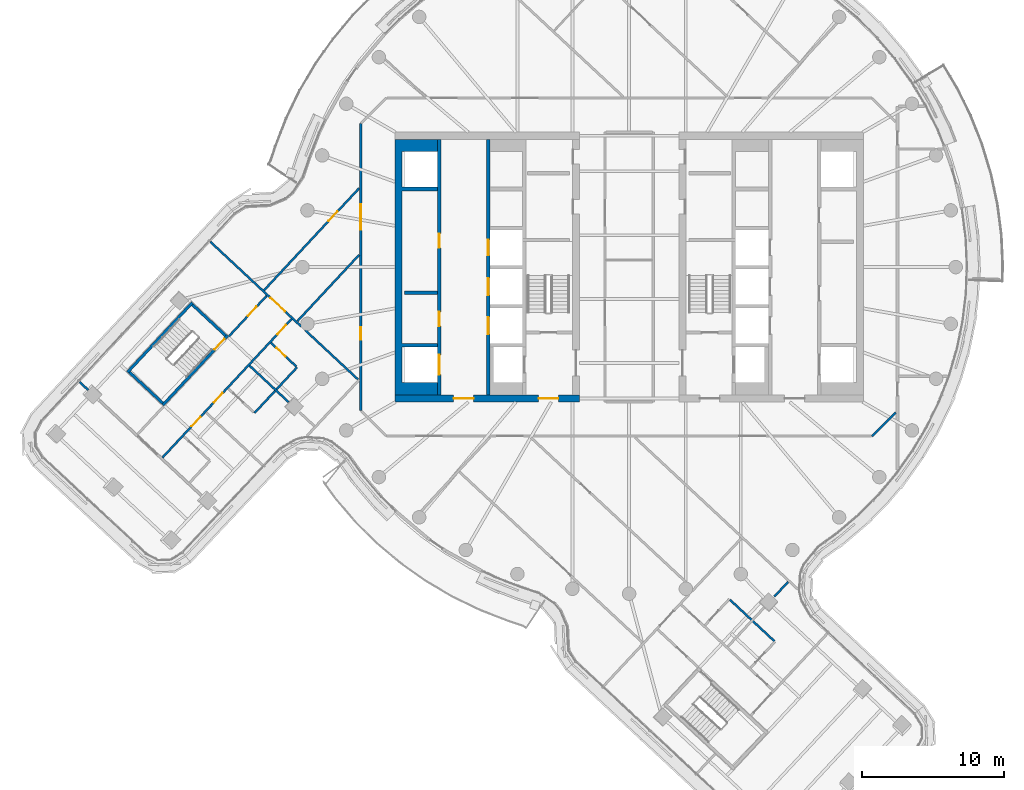
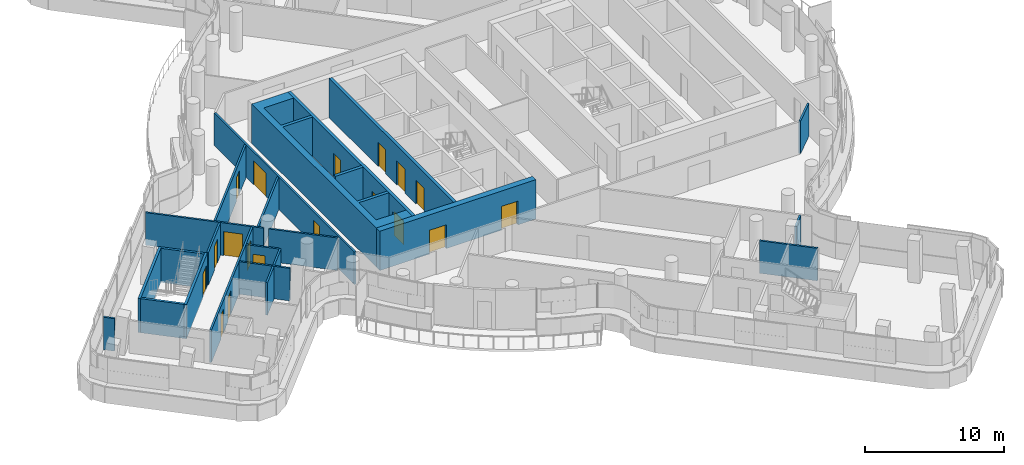
# One storey, part 18 of 30: 23 walls, 18 doors, 18 openings.
"""IFC4 building model written with IfcOpenShell, lengths in metres."""

from ifc_helpers import new_model, si_unit, direction, frame, frame_2d, origin, place, context, subcontext, project, spatial, polyline, rectangle, outline, extrude, material, layer, layer_set, type_object, element, fill, save


model = new_model("IFC4")

# Units and contexts
model_context = context("Model", 3, precision=1e-05, world=origin(), true_north=direction((0.0, 1.0)))
body_context = subcontext(model_context, "Body", "Model", "MODEL_VIEW")
ifc_project = project(units=[si_unit("LENGTHUNIT", "METRE"), si_unit("AREAUNIT", "SQUARE_METRE"), si_unit("VOLUMEUNIT", "CUBIC_METRE"), si_unit("PLANEANGLEUNIT", "RADIAN"), si_unit("MASSUNIT", "GRAM", prefix="KILO")], contexts=[model_context])

# Site, building, storey
site_placement = place(None, origin())
site = spatial("IfcSite", under=ifc_project, at=site_placement, CompositionType="ELEMENT")
building_placement = place(site_placement, origin())
building = spatial("IfcBuilding", under=site, at=building_placement, Name="Tamarind Cross Interchange Tower", CompositionType="ELEMENT")
storey_placement = place(building_placement, frame((0.0, 0.0, 204.10009765625)))
storey = spatial("IfcBuildingStorey", under=building, at=storey_placement, Name="L51", CompositionType="ELEMENT", Elevation=204.10009765625)

# Wall, openings, doors
ifc_material_1 = material(Name="Concrete C55", Category="concrete")
ifc_layer_1 = layer(ifc_material_1, 0.5)
ifc_layer_set_1 = layer_set([ifc_layer_1], Name="Concrete C55")
wall_type_1 = type_object("IfcWallType", Name="Core wall 500 mm Concrete C55", PredefinedType="SHEAR", material=ifc_layer_set_1)
wall_1_placement = place(storey_placement, frame((-16.5, -9.25, 0.0), z_axis=(0.0, 0.0, 1.0), x_axis=(1.0, 0.0, 0.0)))
wall_1 = element("IfcWall", 1, at=wall_1_placement, inside=storey, type_object=wall_type_1, Name="Core wall CWL-L51-W-S", PredefinedType="SHEAR", context=body_context, shape_type="SweptSolid", body=[
    extrude(rectangle(XDim=13.0, YDim=0.5, at=frame_2d((6.5, 0.0))), origin(), (0.0, 0.0, 1.0), 3.4599609375),
])
opening_1_placement = place(wall_1_placement, frame((4.14990234375, 0.0, 0.0)))
opening_1 = element("IfcOpeningElement", 2, at=opening_1_placement, cuts=wall_1, Name="Opening DCW1", PredefinedType="OPENING", context=body_context, shape_type="SweptSolid", body=[
    extrude(rectangle(XDim=1.39990234375, YDim=2.10009765625, at=frame_2d((0.699951171875, 1.050048828125))), frame((0.0, 0.260009765625, 0.0), z_axis=(0.0, -1.0, 0.0), x_axis=(1.0, 0.0, 0.0)), (0.0, 0.0, 1.0), 0.52001953125),
])
opening_2_placement = place(wall_1_placement, frame((10.125, 0.0, 0.0)))
opening_2 = element("IfcOpeningElement", 3, at=opening_2_placement, cuts=wall_1, Name="Opening DCWF", PredefinedType="OPENING", context=body_context, shape_type="SweptSolid", body=[
    extrude(rectangle(XDim=1.39990234375, YDim=2.10009765625, at=frame_2d((0.699951171875, 1.050048828125))), frame((0.0, 0.260009765625, 0.0), z_axis=(0.0, -1.0, 0.0), x_axis=(1.0, 0.0, 0.0)), (0.0, 0.0, 1.0), 0.52001953125),
])
ifc_material_2 = material(Name="Steel, fire-resisting", Category="steel")
door_type_1 = type_object("IfcDoorType", Name="Core fire door 1400 x 2100 FD90", OperationType="SINGLE_SWING_LEFT", PredefinedType="DOOR", material=ifc_material_2)
door_1_placement = place(opening_1_placement, origin())
door_1 = element("IfcDoor", 4, at=door_1_placement, inside=storey, type_object=door_type_1, Name="L51 lift lobby door", OperationType="SINGLE_SWING_LEFT", OverallHeight=2.10009765625, OverallWidth=1.39990234375, PredefinedType="DOOR", context=body_context, shape_type="SweptSolid", body=[
    extrude(rectangle(XDim=1.39990234375, YDim=2.10009765625, at=frame_2d((0.699951171875, 1.050048828125))), frame((0.0, 0.02490234375, 0.0), z_axis=(0.0, -1.0, 0.0), x_axis=(1.0, 0.0, 0.0)), (0.0, 0.0, 1.0), 0.050048828125),
])
fill(opening_1, door_1)
door_2_placement = place(opening_2_placement, origin())
door_2 = element("IfcDoor", 5, at=door_2_placement, inside=storey, type_object=door_type_1, Name="L51 firefighting lobby end door", OperationType="SINGLE_SWING_LEFT", OverallHeight=2.10009765625, OverallWidth=1.39990234375, PredefinedType="DOOR", context=body_context, shape_type="SweptSolid", body=[
    extrude(rectangle(XDim=1.39990234375, YDim=2.10009765625, at=frame_2d((0.699951171875, 1.050048828125))), frame((0.0, 0.02490234375, 0.0), z_axis=(0.0, -1.0, 0.0), x_axis=(1.0, 0.0, 0.0)), (0.0, 0.0, 1.0), 0.050048828125),
])
fill(opening_2, door_2)

# Wall
wall_2_placement = place(storey_placement, origin())
element("IfcWall", 6, at=wall_2_placement, inside=storey, type_object=wall_type_1, Name="Core wall CWL-L51-W-A", PredefinedType="SHEAR", context=body_context, shape_type="SweptSolid", body=[
    extrude(outline(polyline([(-13.5, -8.125), (-16.0, -8.125), (-16.0, -5.625), (-13.5, -5.625), (-13.5, -5.375), (-16.0, -5.375), (-16.0, 5.375), (-13.5, 5.375), (-13.5, 5.625), (-16.0, 5.625), (-16.0, 8.125), (-13.5, 8.125), (-13.5, 9.0), (-16.0, 9.0), (-16.5, 9.0), (-16.5, -9.0), (-16.0, -9.0), (-13.5, -9.0), (-13.5, -8.125)])), origin(), (0.0, 0.0, 1.0), 3.4599609375),
])

# Wall, openings, doors
ifc_layer_2 = layer(ifc_material_1, 0.25)
ifc_layer_set_2 = layer_set([ifc_layer_2], Name="Concrete C55")
wall_type_2 = type_object("IfcWallType", Name="Core web wall 250 mm Concrete C55", PredefinedType="SHEAR", material=ifc_layer_set_2)
wall_3_placement = place(storey_placement, frame((-13.375, -9.0, 0.0), z_axis=(0.0, 0.0, 1.0), x_axis=(0.0, 1.0, 0.0)))
wall_3 = element("IfcWall", 7, at=wall_3_placement, inside=storey, type_object=wall_type_2, Name="Core wall CWL-L51-W-LA", PredefinedType="SHEAR", context=body_context, shape_type="SweptSolid", body=[
    extrude(rectangle(XDim=18.0, YDim=0.25, at=frame_2d((9.0, 0.0))), origin(), (0.0, 0.0, 1.0), 3.4599609375),
])
opening_3_placement = place(wall_3_placement, frame((1.425048828125, 0.0, 0.0)))
opening_3 = element("IfcOpeningElement", 8, at=opening_3_placement, cuts=wall_3, Name="Opening LD1L51", PredefinedType="OPENING", context=body_context, shape_type="SweptSolid", body=[
    extrude(rectangle(XDim=1.39990234375, YDim=2.10009765625, at=frame_2d((0.699951171875, 1.050048828125))), frame((0.0, 0.135009765625, 0.0), z_axis=(0.0, -1.0, 0.0), x_axis=(1.0, 0.0, 0.0)), (0.0, 0.0, 1.0), 0.27001953125),
])
opening_4_placement = place(wall_3_placement, frame((4.85400390625, 0.0, 0.0)))
opening_4 = element("IfcOpeningElement", 9, at=opening_4_placement, cuts=wall_3, Name="Opening DCW9", PredefinedType="OPENING", context=body_context, shape_type="SweptSolid", body=[
    extrude(rectangle(XDim=1.0, YDim=2.10009765625, at=frame_2d((0.5, 1.050048828125))), frame((0.0, 0.135009765625, 0.0), z_axis=(0.0, -1.0, 0.0), x_axis=(1.0, 0.0, 0.0)), (0.0, 0.0, 1.0), 0.27001953125),
])
opening_5_placement = place(wall_3_placement, frame((10.35400390625, 0.0, 0.0)))
opening_5 = element("IfcOpeningElement", 10, at=opening_5_placement, cuts=wall_3, Name="Opening DCW10", PredefinedType="OPENING", context=body_context, shape_type="SweptSolid", body=[
    extrude(rectangle(XDim=1.0, YDim=2.10009765625, at=frame_2d((0.5, 1.050048828125))), frame((0.0, 0.135009765625, 0.0), z_axis=(0.0, -1.0, 0.0), x_axis=(1.0, 0.0, 0.0)), (0.0, 0.0, 1.0), 0.27001953125),
])
door_type_2 = type_object("IfcDoorType", Name="Core fire door 1000 x 2100 FD90", OperationType="SINGLE_SWING_LEFT", PredefinedType="DOOR", material=ifc_material_2)
door_3_placement = place(opening_4_placement, origin())
door_3 = element("IfcDoor", 11, at=door_3_placement, inside=storey, type_object=door_type_2, Name="L51 Staff changing room door", OperationType="SINGLE_SWING_LEFT", OverallHeight=2.10009765625, OverallWidth=1.0, PredefinedType="DOOR", context=body_context, shape_type="SweptSolid", body=[
    extrude(rectangle(XDim=1.0, YDim=2.10009765625, at=frame_2d((0.5, 1.050048828125))), frame((0.0, 0.02490234375, 0.0), z_axis=(0.0, -1.0, 0.0), x_axis=(1.0, 0.0, 0.0)), (0.0, 0.0, 1.0), 0.050048828125),
])
fill(opening_4, door_3)
door_4_placement = place(opening_5_placement, origin())
door_4 = element("IfcDoor", 12, at=door_4_placement, inside=storey, type_object=door_type_2, Name="L51 Ice and vending room door", OperationType="SINGLE_SWING_LEFT", OverallHeight=2.10009765625, OverallWidth=1.0, PredefinedType="DOOR", context=body_context, shape_type="SweptSolid", body=[
    extrude(rectangle(XDim=1.0, YDim=2.10009765625, at=frame_2d((0.5, 1.050048828125))), frame((0.0, 0.02490234375, 0.0), z_axis=(0.0, -1.0, 0.0), x_axis=(1.0, 0.0, 0.0)), (0.0, 0.0, 1.0), 0.050048828125),
])
fill(opening_5, door_4)
ifc_material_3 = material(Name="Stainless steel panel", Category="steel")
door_type_3 = type_object("IfcDoorType", Name="Lift landing door 1400 x 2100 E 120", OperationType="SLIDING_TO_LEFT", PredefinedType="DOOR", material=ifc_material_3)
door_5_placement = place(opening_3_placement, origin())
door_5 = element("IfcDoor", 13, at=door_5_placement, inside=storey, type_object=door_type_3, Name="L51 landing door LF1", OperationType="SLIDING_TO_LEFT", OverallHeight=2.10009765625, OverallWidth=1.39990234375, PredefinedType="DOOR", context=body_context, shape_type="SweptSolid", body=[
    extrude(rectangle(XDim=1.39990234375, YDim=2.10009765625, at=frame_2d((0.699951171875, 1.050048828125))), frame((0.0, 0.02490234375, 0.0), z_axis=(0.0, -1.0, 0.0), x_axis=(1.0, 0.0, 0.0)), (0.0, 0.0, 1.0), 0.050048828125),
])
fill(opening_3, door_5)

wall_4_placement = place(storey_placement, frame((-9.925048828125, -9.0, 0.0), z_axis=(0.0, 0.0, 1.0), x_axis=(0.0, 1.0, 0.0)))
wall_4 = element("IfcWall", 14, at=wall_4_placement, inside=storey, type_object=wall_type_2, Name="Core wall CWL-L51-W-LB", PredefinedType="SHEAR", context=body_context, shape_type="SweptSolid", body=[
    extrude(rectangle(XDim=18.0, YDim=0.25, at=frame_2d((9.0, 0.0))), origin(), (0.0, 0.0, 1.0), 3.4599609375),
])
opening_6_placement = place(wall_4_placement, frame((4.27490234375, 0.0, 0.0)))
opening_6 = element("IfcOpeningElement", 15, at=opening_6_placement, cuts=wall_4, Name="Opening LD8L51", PredefinedType="OPENING", context=body_context, shape_type="SweptSolid", body=[
    extrude(rectangle(XDim=1.199951171875, YDim=2.10009765625, at=frame_2d((0.60009765625, 1.050048828125))), frame((0.0, 0.135009765625, 0.0), z_axis=(0.0, -1.0, 0.0), x_axis=(1.0, 0.0, 0.0)), (0.0, 0.0, 1.0), 0.27001953125),
])
opening_7_placement = place(wall_4_placement, frame((7.02490234375, 0.0, 0.0)))
opening_7 = element("IfcOpeningElement", 16, at=opening_7_placement, cuts=wall_4, Name="Opening LD9L51", PredefinedType="OPENING", context=body_context, shape_type="SweptSolid", body=[
    extrude(rectangle(XDim=1.199951171875, YDim=2.10009765625, at=frame_2d((0.60009765625, 1.050048828125))), frame((0.0, 0.135009765625, 0.0), z_axis=(0.0, -1.0, 0.0), x_axis=(1.0, 0.0, 0.0)), (0.0, 0.0, 1.0), 0.27001953125),
])
opening_8_placement = place(wall_4_placement, frame((9.824951171875, 0.0, 0.0)))
opening_8 = element("IfcOpeningElement", 17, at=opening_8_placement, cuts=wall_4, Name="Opening LD10L51", PredefinedType="OPENING", context=body_context, shape_type="SweptSolid", body=[
    extrude(rectangle(XDim=1.10009765625, YDim=2.10009765625, at=frame_2d((0.550048828125, 1.050048828125))), frame((0.0, 0.135009765625, 0.0), z_axis=(0.0, -1.0, 0.0), x_axis=(1.0, 0.0, 0.0)), (0.0, 0.0, 1.0), 0.27001953125),
])
door_type_4 = type_object("IfcDoorType", Name="Lift landing door 1100 x 2100 E 120", OperationType="SLIDING_TO_LEFT", PredefinedType="DOOR", material=ifc_material_3)
door_6_placement = place(opening_8_placement, origin())
door_6 = element("IfcDoor", 18, at=door_6_placement, inside=storey, type_object=door_type_4, Name="L51 landing door LF10", OperationType="SLIDING_TO_LEFT", OverallHeight=2.10009765625, OverallWidth=1.10009765625, PredefinedType="DOOR", context=body_context, shape_type="SweptSolid", body=[
    extrude(rectangle(XDim=1.10009765625, YDim=2.10009765625, at=frame_2d((0.550048828125, 1.050048828125))), frame((0.0, 0.02490234375, 0.0), z_axis=(0.0, -1.0, 0.0), x_axis=(1.0, 0.0, 0.0)), (0.0, 0.0, 1.0), 0.050048828125),
])
fill(opening_8, door_6)
door_type_5 = type_object("IfcDoorType", Name="Lift landing door 1200 x 2100 E 120", OperationType="SLIDING_TO_LEFT", PredefinedType="DOOR", material=ifc_material_3)
door_7_placement = place(opening_6_placement, origin())
door_7 = element("IfcDoor", 19, at=door_7_placement, inside=storey, type_object=door_type_5, Name="L51 landing door LF8", OperationType="SLIDING_TO_LEFT", OverallHeight=2.10009765625, OverallWidth=1.199951171875, PredefinedType="DOOR", context=body_context, shape_type="SweptSolid", body=[
    extrude(rectangle(XDim=1.199951171875, YDim=2.10009765625, at=frame_2d((0.60009765625, 1.050048828125))), frame((0.0, 0.02490234375, 0.0), z_axis=(0.0, -1.0, 0.0), x_axis=(1.0, 0.0, 0.0)), (0.0, 0.0, 1.0), 0.050048828125),
])
fill(opening_6, door_7)
door_8_placement = place(opening_7_placement, origin())
door_8 = element("IfcDoor", 20, at=door_8_placement, inside=storey, type_object=door_type_5, Name="L51 landing door LF9", OperationType="SLIDING_TO_LEFT", OverallHeight=2.10009765625, OverallWidth=1.199951171875, PredefinedType="DOOR", context=body_context, shape_type="SweptSolid", body=[
    extrude(rectangle(XDim=1.199951171875, YDim=2.10009765625, at=frame_2d((0.60009765625, 1.050048828125))), frame((0.0, 0.02490234375, 0.0), z_axis=(0.0, -1.0, 0.0), x_axis=(1.0, 0.0, 0.0)), (0.0, 0.0, 1.0), 0.050048828125),
])
fill(opening_7, door_8)

# Wall
ifc_material_4 = material(Name="Gypsum board partition on steel studs", Category="steel")
ifc_layer_3 = layer(ifc_material_4, 0.14990234375)
ifc_layer_set_3 = layer_set([ifc_layer_3], Name="Gypsum board partition on steel studs")
wall_type_3 = type_object("IfcWallType", Name="Partition 150 mm EI 120", PredefinedType="PARTITIONING", material=ifc_layer_set_3)
wall_5_placement = place(storey_placement, frame((-38.695556640625, -8.08837890625, 0.0), z_axis=(0.0, 0.0, 1.0), x_axis=(0.731604614839, -0.681729189302, 0.0)))
element("IfcWall", 21, at=wall_5_placement, inside=storey, type_object=wall_type_3, Name="Partition L51-003", PredefinedType="PARTITIONING", context=body_context, shape_type="SweptSolid", body=[
    extrude(rectangle(XDim=0.8271484375, YDim=0.14990234375, at=frame_2d((0.41357421875, 0.0))), origin(), (0.0, 0.0, 1.0), 2.864013671875),
])

# Wall, opening, door
wall_6_placement = place(storey_placement, frame((-29.491455078125, 1.78759765625, 0.0), z_axis=(0.0, 0.0, 1.0), x_axis=(0.731478721907, -0.681864267576, 0.0)))
wall_6 = element("IfcWall", 22, at=wall_6_placement, inside=storey, type_object=wall_type_3, Name="Partition L51-008", PredefinedType="PARTITIONING", context=body_context, shape_type="SweptSolid", body=[
    extrude(rectangle(XDim=8.759033203125, YDim=0.14990234375, at=frame_2d((4.37939453125, 0.0))), origin(), (0.0, 0.0, 1.0), 2.864013671875),
])
opening_9_placement = place(wall_6_placement, frame((5.799072265625, 0.0, 0.0)))
opening_9 = element("IfcOpeningElement", 23, at=opening_9_placement, cuts=wall_6, Name="Opening D03", PredefinedType="OPENING", context=body_context, shape_type="SweptSolid", body=[
    extrude(rectangle(XDim=1.39990234375, YDim=2.10009765625, at=frame_2d((0.699951171875, 1.050048828125))), frame((0.0, 0.0849609375, 0.0), z_axis=(0.0, -1.0, 0.0), x_axis=(1.0, 0.0, 0.0)), (0.0, 0.0, 1.0), 0.169921875),
])
ifc_material_5 = material(Name="Fire-resisting door set")
door_type_6 = type_object("IfcDoorType", Name="Interior door 1400 x 2100 FD60S", OperationType="DOUBLE_DOOR_SINGLE_SWING", PredefinedType="DOOR", material=ifc_material_5)
door_9_placement = place(opening_9_placement, origin())
door_9 = element("IfcDoor", 24, at=door_9_placement, inside=storey, type_object=door_type_6, Name="Door D03", OperationType="DOUBLE_DOOR_SINGLE_SWING", OverallHeight=2.10009765625, OverallWidth=1.39990234375, PredefinedType="DOOR", context=body_context, shape_type="SweptSolid", body=[
    extrude(rectangle(XDim=1.39990234375, YDim=2.10009765625, at=frame_2d((0.699951171875, 1.050048828125))), frame((0.0, 0.02490234375, 0.0), z_axis=(0.0, -1.0, 0.0), x_axis=(1.0, 0.0, 0.0)), (0.0, 0.0, 1.0), 0.050048828125),
])
fill(opening_9, door_9)

# Walls
wall_7_placement = place(storey_placement, frame((-22.816650390625, -4.434326171875, 0.0), z_axis=(0.0, 0.0, 1.0), x_axis=(0.731471057621, -0.681872489445, 0.0)))
element("IfcWall", 25, at=wall_7_placement, inside=storey, type_object=wall_type_3, Name="Partition L51-009", PredefinedType="PARTITIONING", context=body_context, shape_type="SweptSolid", body=[
    extrude(rectangle(XDim=5.0947265625, YDim=0.14990234375, at=frame_2d((2.54736328125, 0.0))), origin(), (0.0, 0.0, 1.0), 2.864013671875),
])
wall_8_placement = place(storey_placement, frame((-26.722412109375, -6.944580078125, 0.0), z_axis=(0.0, 0.0, 1.0), x_axis=(0.731495392293, -0.681846383766, 0.0)))
element("IfcWall", 26, at=wall_8_placement, inside=storey, type_object=wall_type_3, Name="Partition L51-011", PredefinedType="PARTITIONING", context=body_context, shape_type="SweptSolid", body=[
    extrude(rectangle(XDim=3.76171875, YDim=0.14990234375, at=frame_2d((1.880859375, 0.0))), origin(), (0.0, 0.0, 1.0), 2.864013671875),
])

# Wall, opening, door
wall_9_placement = place(storey_placement, frame((-25.222412109375, -5.33544921875, 0.0), z_axis=(0.0, 0.0, 1.0), x_axis=(0.731634049988, -0.681697599305, 0.0)))
wall_9 = element("IfcWall", 27, at=wall_9_placement, inside=storey, type_object=wall_type_3, Name="Partition L51-013", PredefinedType="PARTITIONING", context=body_context, shape_type="SweptSolid", body=[
    extrude(rectangle(XDim=2.439697265625, YDim=0.14990234375, at=frame_2d((1.2197265625, 0.0))), origin(), (0.0, 0.0, 1.0), 2.864013671875),
])
opening_10_placement = place(wall_9_placement, frame((0.52001953125, 0.0, 0.0)))
opening_10 = element("IfcOpeningElement", 28, at=opening_10_placement, cuts=wall_9, Name="Opening D05", PredefinedType="OPENING", context=body_context, shape_type="SweptSolid", body=[
    extrude(rectangle(XDim=0.89990234375, YDim=2.10009765625, at=frame_2d((0.449951171875, 1.050048828125))), frame((0.0, 0.0849609375, 0.0), z_axis=(0.0, -1.0, 0.0), x_axis=(1.0, 0.0, 0.0)), (0.0, 0.0, 1.0), 0.169921875),
])
door_type_7 = type_object("IfcDoorType", Name="Interior door 900 x 2100 FD60S", OperationType="SINGLE_SWING_LEFT", PredefinedType="DOOR", material=ifc_material_5)
door_10_placement = place(opening_10_placement, frame((0.89990234375, 0.0, 0.0), z_axis=(0.0, 0.0, 1.0), x_axis=(-1.0, 0.0, 0.0)))
door_10 = element("IfcDoor", 29, at=door_10_placement, inside=storey, type_object=door_type_7, Name="Door D05", OperationType="SINGLE_SWING_LEFT", OverallHeight=2.10009765625, OverallWidth=0.89990234375, PredefinedType="DOOR", context=body_context, shape_type="SweptSolid", body=[
    extrude(rectangle(XDim=0.89990234375, YDim=2.10009765625, at=frame_2d((0.449951171875, 1.050048828125))), frame((0.0, 0.02490234375, 0.0), z_axis=(0.0, -1.0, 0.0), x_axis=(1.0, 0.0, 0.0)), (0.0, 0.0, 1.0), 0.050048828125),
])
fill(opening_10, door_10)

# Walls
wall_10_placement = place(storey_placement, frame((7.10791015625, -23.43017578125, 0.0), z_axis=(0.0, 0.0, 1.0), x_axis=(0.731647999117, -0.681682628052, 0.0)))
element("IfcWall", 30, at=wall_10_placement, inside=storey, type_object=wall_type_3, Name="Partition L51-030", PredefinedType="PARTITIONING", context=body_context, shape_type="SweptSolid", body=[
    extrude(rectangle(XDim=4.28515625, YDim=0.14990234375, at=frame_2d((2.142578125, 0.0))), origin(), (0.0, 0.0, 1.0), 2.864013671875),
])
wall_11_placement = place(storey_placement, frame((17.10009765625, -11.89990234375, 0.0), z_axis=(0.0, 0.0, 1.0), x_axis=(0.707106781187, 0.707106781187, 0.0)))
element("IfcWall", 31, at=wall_11_placement, inside=storey, type_object=wall_type_3, Name="Partition L51-043", PredefinedType="PARTITIONING", context=body_context, shape_type="SweptSolid", body=[
    extrude(rectangle(XDim=2.35546875, YDim=0.14990234375, at=frame_2d((1.177734375, 0.0))), origin(), (0.0, 0.0, 1.0), 2.864013671875),
])

# Wall, opening, door
wall_12_placement = place(storey_placement, frame((-28.1689453125, -4.859130859375, 0.0), z_axis=(0.0, 0.0, 1.0), x_axis=(0.681784531985, 0.731553041103, 0.0)))
wall_12 = element("IfcWall", 32, at=wall_12_placement, inside=storey, type_object=wall_type_3, Name="Partition L51-045", PredefinedType="PARTITIONING", context=body_context, shape_type="SweptSolid", body=[
    extrude(rectangle(XDim=3.88037109375, YDim=0.14990234375, at=frame_2d((1.940185546875, 0.0))), origin(), (0.0, 0.0, 1.0), 2.864013671875),
])
opening_11_placement = place(wall_12_placement, frame((1.949951171875, 0.0, 0.0)))
opening_11 = element("IfcOpeningElement", 33, at=opening_11_placement, cuts=wall_12, Name="Opening D24", PredefinedType="OPENING", context=body_context, shape_type="SweptSolid", body=[
    extrude(rectangle(XDim=0.89990234375, YDim=2.10009765625, at=frame_2d((0.449951171875, 1.050048828125))), frame((0.0, 0.0849609375, 0.0), z_axis=(0.0, -1.0, 0.0), x_axis=(1.0, 0.0, 0.0)), (0.0, 0.0, 1.0), 0.169921875),
])
door_11_placement = place(opening_11_placement, origin())
door_11 = element("IfcDoor", 34, at=door_11_placement, inside=storey, type_object=door_type_7, Name="Door D24", OperationType="SINGLE_SWING_LEFT", OverallHeight=2.10009765625, OverallWidth=0.89990234375, PredefinedType="DOOR", context=body_context, shape_type="SweptSolid", body=[
    extrude(rectangle(XDim=0.89990234375, YDim=2.10009765625, at=frame_2d((0.449951171875, 1.050048828125))), frame((0.0, 0.02490234375, 0.0), z_axis=(0.0, -1.0, 0.0), x_axis=(1.0, 0.0, 0.0)), (0.0, 0.0, 1.0), 0.050048828125),
])
fill(opening_11, door_11)

# Wall, openings, doors
wall_13_placement = place(storey_placement, frame((-32.862548828125, -13.41552734375, 0.0), z_axis=(0.0, 0.0, 1.0), x_axis=(0.681674391934, 0.731655672691, 0.0)))
wall_13 = element("IfcWall", 35, at=wall_13_placement, inside=storey, type_object=wall_type_3, Name="Partition L51-046", PredefinedType="PARTITIONING", context=body_context, shape_type="SweptSolid", body=[
    extrude(rectangle(XDim=13.33984375, YDim=0.14990234375, at=frame_2d((6.669921875, 0.0))), origin(), (0.0, 0.0, 1.0), 2.864013671875),
])
opening_12_placement = place(wall_13_placement, frame((11.86962890625, 0.0, 0.0)))
opening_12 = element("IfcOpeningElement", 36, at=opening_12_placement, cuts=wall_13, Name="Opening D25", PredefinedType="OPENING", context=body_context, shape_type="SweptSolid", body=[
    extrude(rectangle(XDim=0.89990234375, YDim=2.10009765625, at=frame_2d((0.449951171875, 1.050048828125))), frame((0.0, 0.0849609375, 0.0), z_axis=(0.0, -1.0, 0.0), x_axis=(1.0, 0.0, 0.0)), (0.0, 0.0, 1.0), 0.169921875),
])
opening_13_placement = place(wall_13_placement, frame((5.320068359375, 0.0, 0.0)))
opening_13 = element("IfcOpeningElement", 37, at=opening_13_placement, cuts=wall_13, Name="Opening D26", PredefinedType="OPENING", context=body_context, shape_type="SweptSolid", body=[
    extrude(rectangle(XDim=0.89990234375, YDim=2.10009765625, at=frame_2d((0.449951171875, 1.050048828125))), frame((0.0, 0.0849609375, 0.0), z_axis=(0.0, -1.0, 0.0), x_axis=(1.0, 0.0, 0.0)), (0.0, 0.0, 1.0), 0.169921875),
])
opening_14_placement = place(wall_13_placement, frame((3.0205078125, 0.0, 0.0)))
opening_14 = element("IfcOpeningElement", 38, at=opening_14_placement, cuts=wall_13, Name="Opening D27", PredefinedType="OPENING", context=body_context, shape_type="SweptSolid", body=[
    extrude(rectangle(XDim=0.89990234375, YDim=2.10009765625, at=frame_2d((0.449951171875, 1.050048828125))), frame((0.0, 0.0849609375, 0.0), z_axis=(0.0, -1.0, 0.0), x_axis=(1.0, 0.0, 0.0)), (0.0, 0.0, 1.0), 0.169921875),
])
door_12_placement = place(opening_12_placement, frame((0.89990234375, 0.0, 0.0), z_axis=(0.0, 0.0, 1.0), x_axis=(-1.0, 0.0, 0.0)))
door_12 = element("IfcDoor", 39, at=door_12_placement, inside=storey, type_object=door_type_7, Name="Door D25", OperationType="SINGLE_SWING_RIGHT", OverallHeight=2.10009765625, OverallWidth=0.89990234375, PredefinedType="DOOR", context=body_context, shape_type="SweptSolid", body=[
    extrude(rectangle(XDim=0.89990234375, YDim=2.10009765625, at=frame_2d((0.449951171875, 1.050048828125))), frame((0.0, 0.02490234375, 0.0), z_axis=(0.0, -1.0, 0.0), x_axis=(1.0, 0.0, 0.0)), (0.0, 0.0, 1.0), 0.050048828125),
])
fill(opening_12, door_12)
door_13_placement = place(opening_13_placement, frame((0.89990234375, 0.0, 0.0), z_axis=(0.0, 0.0, 1.0), x_axis=(-1.0, 0.0, 0.0)))
door_13 = element("IfcDoor", 40, at=door_13_placement, inside=storey, type_object=door_type_7, Name="Door D26", OperationType="SINGLE_SWING_LEFT", OverallHeight=2.10009765625, OverallWidth=0.89990234375, PredefinedType="DOOR", context=body_context, shape_type="SweptSolid", body=[
    extrude(rectangle(XDim=0.89990234375, YDim=2.10009765625, at=frame_2d((0.449951171875, 1.050048828125))), frame((0.0, 0.02490234375, 0.0), z_axis=(0.0, -1.0, 0.0), x_axis=(1.0, 0.0, 0.0)), (0.0, 0.0, 1.0), 0.050048828125),
])
fill(opening_13, door_13)
door_14_placement = place(opening_14_placement, frame((0.89990234375, 0.0, 0.0), z_axis=(0.0, 0.0, 1.0), x_axis=(-1.0, 0.0, 0.0)))
door_14 = element("IfcDoor", 41, at=door_14_placement, inside=storey, type_object=door_type_7, Name="Door D27", OperationType="SINGLE_SWING_LEFT", OverallHeight=2.10009765625, OverallWidth=0.89990234375, PredefinedType="DOOR", context=body_context, shape_type="SweptSolid", body=[
    extrude(rectangle(XDim=0.89990234375, YDim=2.10009765625, at=frame_2d((0.449951171875, 1.050048828125))), frame((0.0, 0.02490234375, 0.0), z_axis=(0.0, -1.0, 0.0), x_axis=(1.0, 0.0, 0.0)), (0.0, 0.0, 1.0), 0.050048828125),
])
fill(opening_14, door_14)

# Wall
wall_14_placement = place(storey_placement, frame((-26.37939453125, -10.271484375, 0.0), z_axis=(0.0, 0.0, 1.0), x_axis=(0.681669576902, 0.731660158767, 0.0)))
element("IfcWall", 42, at=wall_14_placement, inside=storey, type_object=wall_type_3, Name="Partition L51-048", PredefinedType="PARTITIONING", context=body_context, shape_type="SweptSolid", body=[
    extrude(rectangle(XDim=4.400146484375, YDim=0.14990234375, at=frame_2d((2.2001953125, 0.0))), origin(), (0.0, 0.0, 1.0), 2.864013671875),
])

# Wall, opening, door
wall_15_placement = place(storey_placement, frame((-25.70654296875, -1.630615234375, 0.0), z_axis=(0.0, 0.0, 1.0), x_axis=(0.68177853135, 0.73155863346, 0.0)))
wall_15 = element("IfcWall", 43, at=wall_15_placement, inside=storey, type_object=wall_type_3, Name="Partition L51-049", PredefinedType="PARTITIONING", context=body_context, shape_type="SweptSolid", body=[
    extrude(rectangle(XDim=9.818603515625, YDim=0.14990234375, at=frame_2d((4.9091796875, 0.0))), origin(), (0.0, 0.0, 1.0), 2.864013671875),
])
opening_15_placement = place(wall_15_placement, frame((6.669921875, 0.0, 0.0)))
opening_15 = element("IfcOpeningElement", 44, at=opening_15_placement, cuts=wall_15, Name="Opening D28", PredefinedType="OPENING", context=body_context, shape_type="SweptSolid", body=[
    extrude(rectangle(XDim=0.89990234375, YDim=2.10009765625, at=frame_2d((0.449951171875, 1.050048828125))), frame((0.0, 0.0849609375, 0.0), z_axis=(0.0, -1.0, 0.0), x_axis=(1.0, 0.0, 0.0)), (0.0, 0.0, 1.0), 0.169921875),
])
door_15_placement = place(opening_15_placement, origin())
door_15 = element("IfcDoor", 45, at=door_15_placement, inside=storey, type_object=door_type_7, Name="Door D28", OperationType="SINGLE_SWING_LEFT", OverallHeight=2.10009765625, OverallWidth=0.89990234375, PredefinedType="DOOR", context=body_context, shape_type="SweptSolid", body=[
    extrude(rectangle(XDim=0.89990234375, YDim=2.10009765625, at=frame_2d((0.449951171875, 1.050048828125))), frame((0.0, 0.02490234375, 0.0), z_axis=(0.0, -1.0, 0.0), x_axis=(1.0, 0.0, 0.0)), (0.0, 0.0, 1.0), 0.050048828125),
])
fill(opening_15, door_15)

# Walls
wall_16_placement = place(storey_placement, frame((-23.365478515625, -3.8125, 0.0), z_axis=(0.0, 0.0, 1.0), x_axis=(0.681775833985, 0.731561147269, 0.0)))
element("IfcWall", 46, at=wall_16_placement, inside=storey, type_object=wall_type_3, Name="Partition L51-050", PredefinedType="PARTITIONING", context=body_context, shape_type="SweptSolid", body=[
    extrude(rectangle(XDim=6.384765625, YDim=0.14990234375, at=frame_2d((3.1923828125, 0.0))), origin(), (0.0, 0.0, 1.0), 2.864013671875),
])
wall_17_placement = place(storey_placement, frame((10.234619140625, -23.193115234375, 0.0), z_axis=(0.0, 0.0, 1.0), x_axis=(0.681820060396, 0.731519928124, 0.0)))
element("IfcWall", 47, at=wall_17_placement, inside=storey, type_object=wall_type_3, Name="Partition L51-070", PredefinedType="PARTITIONING", context=body_context, shape_type="SweptSolid", body=[
    extrude(rectangle(XDim=1.414794921875, YDim=0.14990234375, at=frame_2d((0.70751953125, 0.0))), origin(), (0.0, 0.0, 1.0), 2.864013671875),
])

# Wall, openings, doors
wall_18_placement = place(storey_placement, frame((-18.89990234375, -10.10009765625, 0.0), z_axis=(0.0, 0.0, 1.0), x_axis=(0.0, 1.0, 0.0)))
wall_18 = element("IfcWall", 48, at=wall_18_placement, inside=storey, type_object=wall_type_3, Name="Partition L51-073", PredefinedType="PARTITIONING", context=body_context, shape_type="SweptSolid", body=[
    extrude(rectangle(XDim=20.2001953125, YDim=0.14990234375, at=frame_2d((10.10009765625, 0.0))), origin(), (0.0, 0.0, 1.0), 2.864013671875),
])
opening_16_placement = place(wall_18_placement, frame((12.72900390625, 0.0, 0.0)))
opening_16 = element("IfcOpeningElement", 49, at=opening_16_placement, cuts=wall_18, Name="Opening D39", PredefinedType="OPENING", context=body_context, shape_type="SweptSolid", body=[
    extrude(rectangle(XDim=1.800048828125, YDim=2.10009765625, at=frame_2d((0.89990234375, 1.050048828125))), frame((0.0, 0.0849609375, 0.0), z_axis=(0.0, -1.0, 0.0), x_axis=(1.0, 0.0, 0.0)), (0.0, 0.0, 1.0), 0.169921875),
])
opening_17_placement = place(wall_18_placement, frame((4.97900390625, 0.0, 0.0)))
opening_17 = element("IfcOpeningElement", 50, at=opening_17_placement, cuts=wall_18, Name="Opening D40", PredefinedType="OPENING", context=body_context, shape_type="SweptSolid", body=[
    extrude(rectangle(XDim=0.89990234375, YDim=2.10009765625, at=frame_2d((0.449951171875, 1.050048828125))), frame((0.0, 0.0849609375, 0.0), z_axis=(0.0, -1.0, 0.0), x_axis=(1.0, 0.0, 0.0)), (0.0, 0.0, 1.0), 0.169921875),
])
door_type_8 = type_object("IfcDoorType", Name="Interior door 1800 x 2100 FD60S", OperationType="DOUBLE_DOOR_SINGLE_SWING", PredefinedType="DOOR", material=ifc_material_5)
door_16_placement = place(opening_16_placement, frame((1.800048828125, 0.0, 0.0), z_axis=(0.0, 0.0, 1.0), x_axis=(-1.0, 0.0, 0.0)))
door_16 = element("IfcDoor", 51, at=door_16_placement, inside=storey, type_object=door_type_8, Name="Door D39", OperationType="DOUBLE_DOOR_SINGLE_SWING", OverallHeight=2.10009765625, OverallWidth=1.800048828125, PredefinedType="DOOR", context=body_context, shape_type="SweptSolid", body=[
    extrude(rectangle(XDim=1.800048828125, YDim=2.10009765625, at=frame_2d((0.89990234375, 1.050048828125))), frame((0.0, 0.02490234375, 0.0), z_axis=(0.0, -1.0, 0.0), x_axis=(1.0, 0.0, 0.0)), (0.0, 0.0, 1.0), 0.050048828125),
])
fill(opening_16, door_16)
door_17_placement = place(opening_17_placement, origin())
door_17 = element("IfcDoor", 52, at=door_17_placement, inside=storey, type_object=door_type_7, Name="Door D40", OperationType="SINGLE_SWING_RIGHT", OverallHeight=2.10009765625, OverallWidth=0.89990234375, PredefinedType="DOOR", context=body_context, shape_type="SweptSolid", body=[
    extrude(rectangle(XDim=0.89990234375, YDim=2.10009765625, at=frame_2d((0.449951171875, 1.050048828125))), frame((0.0, 0.02490234375, 0.0), z_axis=(0.0, -1.0, 0.0), x_axis=(1.0, 0.0, 0.0)), (0.0, 0.0, 1.0), 0.050048828125),
])
fill(opening_17, door_17)

# Wall
ifc_material_6 = material(Name="Concrete C40", Category="concrete")
ifc_layer_4 = layer(ifc_material_6, 0.25)
ifc_layer_set_4 = layer_set([ifc_layer_4], Name="Concrete C40")
wall_type_4 = type_object("IfcWallType", Name="Shaft and lobby wall 250 mm Concrete C40", PredefinedType="PARTITIONING", material=ifc_layer_set_4)
wall_19_placement = place(storey_placement, frame((-15.800048828125, -1.7919921875, 0.0), z_axis=(0.0, 0.0, 1.0), x_axis=(1.0, 0.0, 0.0)))
element("IfcWall", 53, at=wall_19_placement, inside=storey, type_object=wall_type_4, Name="Shaft wall CWL-L51-W-FPA1", PredefinedType="PARTITIONING", context=body_context, shape_type="SweptSolid", body=[
    extrude(rectangle(XDim=2.300048828125, YDim=0.25, at=frame_2d((1.14990234375, 0.0))), origin(), (0.0, 0.0, 1.0), 3.4599609375),
])

# Wall, opening, door
ifc_layer_5 = layer(ifc_material_6, 0.199951171875)
ifc_layer_set_5 = layer_set([ifc_layer_5], Name="Concrete C40")
wall_type_5 = type_object("IfcWallType", Name="Stair shaft wall 200 mm Concrete C40", PredefinedType="SHEAR", material=ifc_layer_set_5)
wall_20_placement = place(storey_placement, frame((-28.26904296875, -4.819580078125, -0.14013671875), z_axis=(0.0, 0.0, 1.0), x_axis=(-0.681762389361, -0.731573676708, 0.0)))
wall_20 = element("IfcWall", 54, at=wall_20_placement, inside=storey, type_object=wall_type_5, Name="Core wall CWL-L51-ST5-H", PredefinedType="SHEAR", context=body_context, shape_type="SweptSolid", body=[
    extrude(rectangle(XDim=6.7001953125, YDim=0.199951171875, at=frame_2d((3.35009765625, 0.0))), origin(), (0.0, 0.0, 1.0), 3.004150390625),
])
opening_18_placement = place(wall_20_placement, frame((0.35009765625, 0.0, 0.0)))
opening_18 = element("IfcOpeningElement", 55, at=opening_18_placement, cuts=wall_20, Name="Opening ST5L51", PredefinedType="OPENING", context=body_context, shape_type="SweptSolid", body=[
    extrude(rectangle(XDim=1.0, YDim=2.10009765625, at=frame_2d((0.5, 1.050048828125))), frame((0.0, 0.10986328125, 0.0), z_axis=(0.0, -1.0, 0.0), x_axis=(1.0, 0.0, 0.0)), (0.0, 0.0, 1.0), 0.219970703125),
])
door_18_placement = place(opening_18_placement, origin())
door_18 = element("IfcDoor", 56, at=door_18_placement, inside=storey, type_object=door_type_2, Name="L51 stair door ST5", OperationType="SINGLE_SWING_LEFT", OverallHeight=2.10009765625, OverallWidth=1.0, PredefinedType="DOOR", context=body_context, shape_type="SweptSolid", body=[
    extrude(rectangle(XDim=1.0, YDim=2.10009765625, at=frame_2d((0.5, 1.050048828125))), frame((0.0, 0.02490234375, 0.0), z_axis=(0.0, -1.0, 0.0), x_axis=(1.0, 0.0, 0.0)), (0.0, 0.0, 1.0), 0.050048828125),
])
fill(opening_18, door_18)

# Walls
wall_21_placement = place(storey_placement, frame((-30.75634765625, -2.501708984375, -0.14013671875), z_axis=(0.0, 0.0, 1.0), x_axis=(-0.681780563629, -0.731556739466, 0.0)))
element("IfcWall", 57, at=wall_21_placement, inside=storey, type_object=wall_type_5, Name="Core wall CWL-L51-ST5-C", PredefinedType="SHEAR", context=body_context, shape_type="SweptSolid", body=[
    extrude(rectangle(XDim=6.699951171875, YDim=0.199951171875, at=frame_2d((3.35009765625, 0.0))), origin(), (0.0, 0.0, 1.0), 3.004150390625),
])
wall_22_placement = place(storey_placement, frame((-30.751220703125, -2.642822265625, -0.14013671875), z_axis=(0.0, 0.0, 1.0), x_axis=(0.731504173653, -0.681836962864, 0.0)))
element("IfcWall", 58, at=wall_22_placement, inside=storey, type_object=wall_type_5, Name="Core wall CWL-L51-ST5-CE", PredefinedType="SHEAR", context=body_context, shape_type="SweptSolid", body=[
    extrude(rectangle(XDim=3.199951171875, YDim=0.199951171875, at=frame_2d((1.60009765625, 0.0))), origin(), (0.0, 0.0, 1.0), 3.004150390625),
])
wall_23_placement = place(storey_placement, frame((0.0, 0.0, -0.14013671875)))
element("IfcWall", 59, at=wall_23_placement, inside=storey, type_object=wall_type_5, Name="Core wall CWL-L51-ST5-CF", PredefinedType="SHEAR", context=body_context, shape_type="SweptSolid", body=[
    extrude(outline(polyline([(-35.11474609375, -7.32470703125), (-35.251220703125, -7.47119140625), (-32.91015625, -9.65283203125), (-32.773681640625, -9.506591796875), (-35.11474609375, -7.32470703125)])), origin(), (0.0, 0.0, 1.0), 3.004150390625),
])

save(model, "model.ifc")
